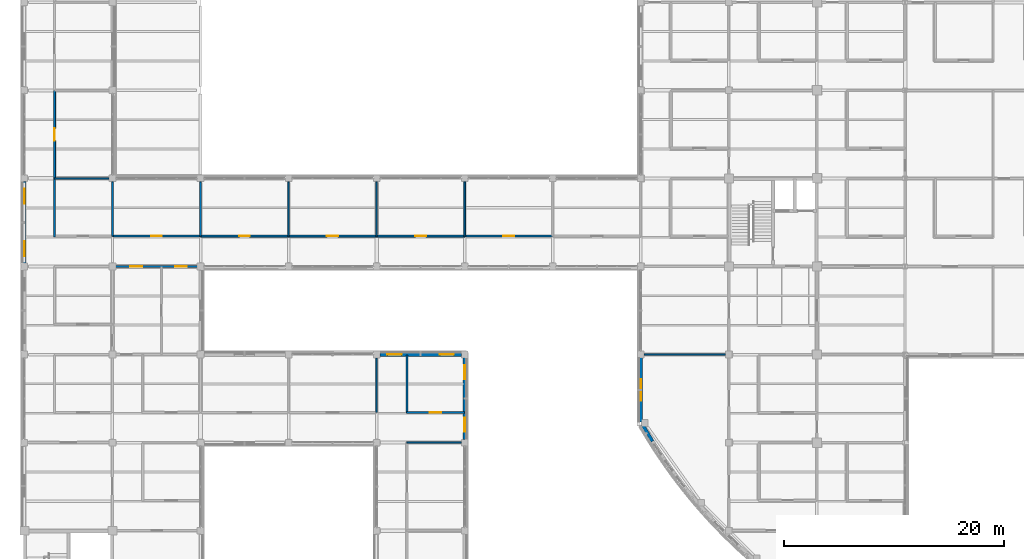
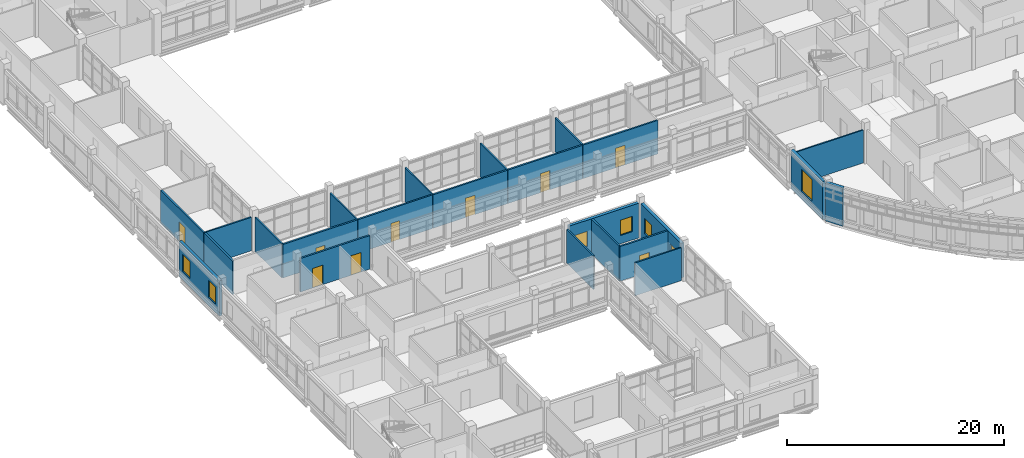
# One storey, part 79 of 121: 24 walls, 9 doors, 7 windows, 16 openings.
"""IFC4 building model written with IfcOpenShell, lengths in metres."""

from ifc_helpers import new_model, si_unit, derived_unit, direction, frame, frame_2d, origin, place, context, subcontext, project, spatial, rectangle, extrude, material, layer, layer_set, type_object, element, fill, save


model = new_model("IFC4")

# Units and contexts
model_context = context("Model", 3, precision=1e-05, world=origin(), true_north=direction((0.0, 1.0)))
body_context = subcontext(model_context, "Body", "Model", "MODEL_VIEW")
ifc_project = project(units=[si_unit("LENGTHUNIT", "METRE"), si_unit("AREAUNIT", "SQUARE_METRE"), si_unit("VOLUMEUNIT", "CUBIC_METRE"), si_unit("PLANEANGLEUNIT", "RADIAN"), si_unit("MASSUNIT", "GRAM", prefix="KILO"), derived_unit("THERMALTRANSMITTANCEUNIT", [(si_unit("MASSUNIT", "GRAM", prefix="KILO"), 1), (si_unit("TIMEUNIT", "SECOND"), -3), (si_unit("THERMODYNAMICTEMPERATUREUNIT", "KELVIN"), -1)])], contexts=[model_context])

# Site, building, storey
site_placement = place(None, origin())
site = spatial("IfcSite", under=ifc_project, at=site_placement, CompositionType="ELEMENT")
building_placement = place(site_placement, origin())
building = spatial("IfcBuilding", under=site, at=building_placement, Name="Veyamyaing Civic Hall", CompositionType="ELEMENT")
storey_placement = place(building_placement, frame((0.0, 0.0, 5.280029296875)))
storey = spatial("IfcBuildingStorey", under=building, at=storey_placement, Name="L01", CompositionType="ELEMENT", Elevation=5.280029296875)

# Wall, openings, windows
ifc_material_1 = material(Name="Precast concrete C40/50", Category="concrete")
ifc_layer_1 = layer(ifc_material_1, 0.320068359375, Name="Precast concrete C40/50")
ifc_layer_set_1 = layer_set([ifc_layer_1], Name="Precast concrete C40/50")
wall_type_1 = type_object("IfcWallType", Name="WT-02", PredefinedType="SOLIDWALL", material=ifc_layer_set_1)
wall_1_placement = place(storey_placement, frame((32.284912109375, 40.0, 0.0), z_axis=(0.0, 0.0, 1.0), x_axis=(1.0, 0.0, 0.0)))
wall_1 = element("IfcWall", 1, at=wall_1_placement, inside=storey, type_object=wall_type_1, Name="Exterior facade wall WT-02 L01 N 5.5", PredefinedType="SOLIDWALL", context=body_context, shape_type="SweptSolid", body=[
    extrude(rectangle(XDim=7.43017578125, YDim=0.320068359375, at=frame_2d((3.715087890625, 0.0))), origin(), (0.0, 0.0, 1.0), 3.9140625),
])
opening_1_placement = place(wall_1_placement, frame((0.697509765625, 0.0, 0.949951171875)))
opening_1 = element("IfcOpeningElement", 2, at=opening_1_placement, cuts=wall_1, Name="Opening W-31", PredefinedType="OPENING", context=body_context, shape_type="SweptSolid", body=[
    extrude(rectangle(XDim=1.280029296875, YDim=1.719970703125, at=frame_2d((0.64013671875, 0.85986328125))), frame((0.0, 0.169921875, 0.0), z_axis=(0.0, -1.0, 0.0), x_axis=(1.0, 0.0, 0.0)), (0.0, 0.0, 1.0), 0.340087890625),
])
opening_2_placement = place(wall_1_placement, frame((5.45263671875, 0.0, 0.949951171875)))
opening_2 = element("IfcOpeningElement", 3, at=opening_2_placement, cuts=wall_1, Name="Opening W-31", PredefinedType="OPENING", context=body_context, shape_type="SweptSolid", body=[
    extrude(rectangle(XDim=1.280029296875, YDim=1.719970703125, at=frame_2d((0.64013671875, 0.85986328125))), frame((0.0, 0.169921875, 0.0), z_axis=(0.0, -1.0, 0.0), x_axis=(1.0, 0.0, 0.0)), (0.0, 0.0, 1.0), 0.340087890625),
])
ifc_material_2 = material(Name="Low-E insulated glass", Category="glass")
window_type_1 = type_object("IfcWindowType", Name="W-31", PartitioningType="SINGLE_PANEL", PredefinedType="WINDOW", material=ifc_material_2)
window_1_placement = place(opening_1_placement, origin())
window_1 = element("IfcWindow", 4, at=window_1_placement, inside=storey, type_object=window_type_1, Name="Facade window W-31 L01 N 5.5.1", OverallHeight=1.719970703125, OverallWidth=1.280029296875, PartitioningType="SINGLE_PANEL", PredefinedType="WINDOW", context=body_context, shape_type="SweptSolid", body=[
    extrude(rectangle(XDim=1.280029296875, YDim=1.719970703125, at=frame_2d((0.64013671875, 0.85986328125))), frame((0.0, 0.030029296875, 0.0), z_axis=(0.0, -1.0, 0.0), x_axis=(1.0, 0.0, 0.0)), (0.0, 0.0, 1.0), 0.06005859375),
])
fill(opening_1, window_1)
window_2_placement = place(opening_2_placement, origin())
window_2 = element("IfcWindow", 5, at=window_2_placement, inside=storey, type_object=window_type_1, Name="Facade window W-31 L01 N 5.5.2", OverallHeight=1.719970703125, OverallWidth=1.280029296875, PartitioningType="SINGLE_PANEL", PredefinedType="WINDOW", context=body_context, shape_type="SweptSolid", body=[
    extrude(rectangle(XDim=1.280029296875, YDim=1.719970703125, at=frame_2d((0.64013671875, 0.85986328125))), frame((0.0, 0.030029296875, 0.0), z_axis=(0.0, -1.0, 0.0), x_axis=(1.0, 0.0, 0.0)), (0.0, 0.0, 1.0), 0.06005859375),
])
fill(opening_2, window_2)

wall_2_placement = place(storey_placement, frame((40.0, 32.284912109375, 0.0), z_axis=(0.0, 0.0, 1.0), x_axis=(0.0, 1.0, 0.0)))
wall_2 = element("IfcWall", 6, at=wall_2_placement, inside=storey, type_object=wall_type_1, Name="Exterior facade wall WT-02 L01 E 5.5", PredefinedType="SOLIDWALL", context=body_context, shape_type="SweptSolid", body=[
    extrude(rectangle(XDim=7.43017578125, YDim=0.320068359375, at=frame_2d((3.715087890625, 0.0))), origin(), (0.0, 0.0, 1.0), 3.9140625),
])
opening_3_placement = place(wall_2_placement, frame((0.697509765625, 0.0, 0.949951171875)))
opening_3 = element("IfcOpeningElement", 7, at=opening_3_placement, cuts=wall_2, Name="Opening W-31", PredefinedType="OPENING", context=body_context, shape_type="SweptSolid", body=[
    extrude(rectangle(XDim=1.280029296875, YDim=1.719970703125, at=frame_2d((0.64013671875, 0.85986328125))), frame((0.0, 0.169921875, 0.0), z_axis=(0.0, -1.0, 0.0), x_axis=(1.0, 0.0, 0.0)), (0.0, 0.0, 1.0), 0.340087890625),
])
opening_4_placement = place(wall_2_placement, frame((5.45263671875, 0.0, 0.949951171875)))
opening_4 = element("IfcOpeningElement", 8, at=opening_4_placement, cuts=wall_2, Name="Opening W-31", PredefinedType="OPENING", context=body_context, shape_type="SweptSolid", body=[
    extrude(rectangle(XDim=1.280029296875, YDim=1.719970703125, at=frame_2d((0.64013671875, 0.85986328125))), frame((0.0, 0.169921875, 0.0), z_axis=(0.0, -1.0, 0.0), x_axis=(1.0, 0.0, 0.0)), (0.0, 0.0, 1.0), 0.340087890625),
])
window_3_placement = place(opening_3_placement, origin())
window_3 = element("IfcWindow", 9, at=window_3_placement, inside=storey, type_object=window_type_1, Name="Facade window W-31 L01 E 5.5.1", OverallHeight=1.719970703125, OverallWidth=1.280029296875, PartitioningType="SINGLE_PANEL", PredefinedType="WINDOW", context=body_context, shape_type="SweptSolid", body=[
    extrude(rectangle(XDim=1.280029296875, YDim=1.719970703125, at=frame_2d((0.64013671875, 0.85986328125))), frame((0.0, 0.030029296875, 0.0), z_axis=(0.0, -1.0, 0.0), x_axis=(1.0, 0.0, 0.0)), (0.0, 0.0, 1.0), 0.06005859375),
])
fill(opening_3, window_3)
window_4_placement = place(opening_4_placement, origin())
window_4 = element("IfcWindow", 10, at=window_4_placement, inside=storey, type_object=window_type_1, Name="Facade window W-31 L01 E 5.5.2", OverallHeight=1.719970703125, OverallWidth=1.280029296875, PartitioningType="SINGLE_PANEL", PredefinedType="WINDOW", context=body_context, shape_type="SweptSolid", body=[
    extrude(rectangle(XDim=1.280029296875, YDim=1.719970703125, at=frame_2d((0.64013671875, 0.85986328125))), frame((0.0, 0.030029296875, 0.0), z_axis=(0.0, -1.0, 0.0), x_axis=(1.0, 0.0, 0.0)), (0.0, 0.0, 1.0), 0.06005859375),
])
fill(opening_4, window_4)

# Wall
ifc_layer_2 = layer(ifc_material_1, 0.304931640625, Name="Precast concrete C40/50")
ifc_layer_set_2 = layer_set([ifc_layer_2], Name="Precast concrete C40/50")
wall_type_2 = type_object("IfcWallType", Name="WT-03", PredefinedType="SOLIDWALL", material=ifc_layer_set_2)
wall_3_placement = place(storey_placement, frame((56.1328125, 33.649169921875, 0.0), z_axis=(0.0, 0.0, 1.0), x_axis=(0.51607516088, -0.856543302071, 0.0)))
element("IfcWall", 11, at=wall_3_placement, inside=storey, type_object=wall_type_2, Name="Curved corner facade wall WT-03 L01 SW.1", PredefinedType="SOLIDWALL", context=body_context, shape_type="SweptSolid", body=[
    extrude(rectangle(XDim=1.794921875, YDim=0.304931640625, at=frame_2d((0.8974609375, 0.0))), origin(), (0.0, 0.0, 1.0), 4.3349609375),
])

# Wall, opening, window
wall_4_placement = place(storey_placement, frame((56.0, 33.854248046875, 0.0), z_axis=(0.0, 0.0, 1.0), x_axis=(0.0, 1.0, 0.0)))
wall_4 = element("IfcWall", 12, at=wall_4_placement, inside=storey, type_object=wall_type_2, Name="Exterior facade wall WT-03 L01 W 8.5", PredefinedType="SOLIDWALL", context=body_context, shape_type="SweptSolid", body=[
    extrude(rectangle(XDim=5.86083984375, YDim=0.304931640625, at=frame_2d((2.930419921875, 0.0))), origin(), (0.0, 0.0, 1.0), 4.3349609375),
])
opening_5_placement = place(wall_4_placement, frame((1.955322265625, 0.0, 0.89990234375)))
opening_5 = element("IfcOpeningElement", 13, at=opening_5_placement, cuts=wall_4, Name="Opening W-26", PredefinedType="OPENING", context=body_context, shape_type="SweptSolid", body=[
    extrude(rectangle(XDim=1.949951171875, YDim=2.449951171875, at=frame_2d((0.97509765625, 1.22509765625))), frame((0.0, 0.162353515625, 0.0), z_axis=(0.0, -1.0, 0.0), x_axis=(1.0, 0.0, 0.0)), (0.0, 0.0, 1.0), 0.324951171875),
])
window_type_2 = type_object("IfcWindowType", Name="W-26", PartitioningType="SINGLE_PANEL", PredefinedType="WINDOW", material=ifc_material_2)
window_5_placement = place(opening_5_placement, origin())
window_5 = element("IfcWindow", 14, at=window_5_placement, inside=storey, type_object=window_type_2, Name="Facade window W-26 L01 W 8.5", OverallHeight=2.449951171875, OverallWidth=1.949951171875, PartitioningType="SINGLE_PANEL", PredefinedType="WINDOW", context=body_context, shape_type="SweptSolid", body=[
    extrude(rectangle(XDim=1.949951171875, YDim=2.449951171875, at=frame_2d((0.97509765625, 1.22509765625))), frame((0.0, 0.030029296875, 0.0), z_axis=(0.0, -1.0, 0.0), x_axis=(1.0, 0.0, 0.0)), (0.0, 0.0, 1.0), 0.06005859375),
])
fill(opening_5, window_5)

# Wall, openings, windows
ifc_layer_3 = layer(ifc_material_1, 0.280029296875, Name="Precast concrete C40/50")
ifc_layer_set_3 = layer_set([ifc_layer_3], Name="Precast concrete C40/50")
wall_type_3 = type_object("IfcWallType", Name="WT-04", PredefinedType="SOLIDWALL", material=ifc_layer_set_3)
wall_5_placement = place(storey_placement, frame((0.0, 48.284912109375, 0.0), z_axis=(0.0, 0.0, 1.0), x_axis=(0.0, 1.0, 0.0)))
wall_5 = element("IfcWall", 15, at=wall_5_placement, inside=storey, type_object=wall_type_3, Name="Exterior facade wall WT-04 L01 W 1.7", PredefinedType="SOLIDWALL", context=body_context, shape_type="SweptSolid", body=[
    extrude(rectangle(XDim=7.43017578125, YDim=0.280029296875, at=frame_2d((3.715087890625, 0.0))), origin(), (0.0, 0.0, 1.0), 3.97705078125),
])
opening_6_placement = place(wall_5_placement, frame((0.662353515625, 0.0, 0.949951171875)))
opening_6 = element("IfcOpeningElement", 16, at=opening_6_placement, cuts=wall_5, Name="Opening W-13", PredefinedType="OPENING", context=body_context, shape_type="SweptSolid", body=[
    extrude(rectangle(XDim=1.35009765625, YDim=1.89990234375, at=frame_2d((0.675048828125, 0.949951171875))), frame((0.0, 0.14990234375, 0.0), z_axis=(0.0, -1.0, 0.0), x_axis=(1.0, 0.0, 0.0)), (0.0, 0.0, 1.0), 0.300048828125),
])
opening_7_placement = place(wall_5_placement, frame((5.41748046875, 0.0, 0.949951171875)))
opening_7 = element("IfcOpeningElement", 17, at=opening_7_placement, cuts=wall_5, Name="Opening W-13", PredefinedType="OPENING", context=body_context, shape_type="SweptSolid", body=[
    extrude(rectangle(XDim=1.35009765625, YDim=1.89990234375, at=frame_2d((0.675048828125, 0.949951171875))), frame((0.0, 0.14990234375, 0.0), z_axis=(0.0, -1.0, 0.0), x_axis=(1.0, 0.0, 0.0)), (0.0, 0.0, 1.0), 0.300048828125),
])
window_type_3 = type_object("IfcWindowType", Name="W-13", PartitioningType="SINGLE_PANEL", PredefinedType="WINDOW", material=ifc_material_2)
window_6_placement = place(opening_6_placement, origin())
window_6 = element("IfcWindow", 18, at=window_6_placement, inside=storey, type_object=window_type_3, Name="Facade window W-13 L01 W 1.7.1", OverallHeight=1.89990234375, OverallWidth=1.35009765625, PartitioningType="SINGLE_PANEL", PredefinedType="WINDOW", context=body_context, shape_type="SweptSolid", body=[
    extrude(rectangle(XDim=1.35009765625, YDim=1.89990234375, at=frame_2d((0.675048828125, 0.949951171875))), frame((0.0, 0.030029296875, 0.0), z_axis=(0.0, -1.0, 0.0), x_axis=(1.0, 0.0, 0.0)), (0.0, 0.0, 1.0), 0.06005859375),
])
fill(opening_6, window_6)
window_7_placement = place(opening_7_placement, origin())
window_7 = element("IfcWindow", 19, at=window_7_placement, inside=storey, type_object=window_type_3, Name="Facade window W-13 L01 W 1.7.2", OverallHeight=1.89990234375, OverallWidth=1.35009765625, PartitioningType="SINGLE_PANEL", PredefinedType="WINDOW", context=body_context, shape_type="SweptSolid", body=[
    extrude(rectangle(XDim=1.35009765625, YDim=1.89990234375, at=frame_2d((0.675048828125, 0.949951171875))), frame((0.0, 0.030029296875, 0.0), z_axis=(0.0, -1.0, 0.0), x_axis=(1.0, 0.0, 0.0)), (0.0, 0.0, 1.0), 0.06005859375),
])
fill(opening_7, window_7)

# Wall, opening, door
ifc_material_3 = material(Name="Gypsum board on acoustic steel stud", Category="steel")
ifc_layer_4 = layer(ifc_material_3, 0.175048828125, Name="Gypsum board on acoustic steel stud")
ifc_layer_set_4 = layer_set([ifc_layer_4], Name="Gypsum board on acoustic steel stud")
wall_type_4 = type_object("IfcWallType", Name="WT-07", PredefinedType="PARTITIONING", material=ifc_layer_set_4)
wall_6_placement = place(storey_placement, frame((2.75, 56.02001953125, 0.0), z_axis=(0.0, 0.0, 1.0), x_axis=(0.0, 1.0, 0.0)))
wall_6 = element("IfcWall", 20, at=wall_6_placement, inside=storey, type_object=wall_type_4, Name="Corridor gallery partition WT-07 L01.5.1", PredefinedType="PARTITIONING", context=body_context, shape_type="SweptSolid", body=[
    extrude(rectangle(XDim=7.9599609375, YDim=0.175048828125, at=frame_2d((3.97998046875, 0.0))), origin(), (0.0, 0.0, 1.0), 3.7119140625),
])
opening_8_placement = place(wall_6_placement, frame((3.419921875, 0.0, 0.0)))
opening_8 = element("IfcOpeningElement", 21, at=opening_8_placement, cuts=wall_6, Name="Opening D-26", PredefinedType="OPENING", context=body_context, shape_type="SweptSolid", body=[
    extrude(rectangle(XDim=1.1201171875, YDim=2.219970703125, at=frame_2d((0.56005859375, 1.10986328125))), frame((0.0, 0.097412109375, 0.0), z_axis=(0.0, -1.0, 0.0), x_axis=(1.0, 0.0, 0.0)), (0.0, 0.0, 1.0), 0.195068359375),
])
ifc_material_4 = material(Name="Teak-veneered acoustic timber", Category="wood")
door_type_1 = type_object("IfcDoorType", Name="D-26", OperationType="NOTDEFINED", PredefinedType="DOOR", material=ifc_material_4)
door_1_placement = place(opening_8_placement, frame((1.1201171875, 0.0, 0.0), z_axis=(0.0, 0.0, 1.0), x_axis=(-1.0, 0.0, 0.0)))
door_1 = element("IfcDoor", 22, at=door_1_placement, inside=storey, type_object=door_type_1, Name="Gallery office door D-26 L01.5", OperationType="SINGLE_SWING_LEFT", OverallHeight=2.219970703125, OverallWidth=1.1201171875, PredefinedType="DOOR", context=body_context, shape_type="SweptSolid", body=[
    extrude(rectangle(XDim=1.1201171875, YDim=2.219970703125, at=frame_2d((0.56005859375, 1.10986328125))), frame((0.0, 0.02490234375, 0.0), z_axis=(0.0, -1.0, 0.0), x_axis=(1.0, 0.0, 0.0)), (0.0, 0.0, 1.0), 0.050048828125),
])
fill(opening_8, door_1)

wall_7_placement = place(storey_placement, frame((16.02001953125, 50.75, 0.0), z_axis=(0.0, 0.0, 1.0), x_axis=(1.0, 0.0, 0.0)))
wall_7 = element("IfcWall", 23, at=wall_7_placement, inside=storey, type_object=wall_type_4, Name="Corridor gallery partition WT-07 L01.17.1", PredefinedType="PARTITIONING", context=body_context, shape_type="SweptSolid", body=[
    extrude(rectangle(XDim=7.9599609375, YDim=0.175048828125, at=frame_2d((3.97998046875, 0.0))), origin(), (0.0, 0.0, 1.0), 3.786865234375),
])
opening_9_placement = place(wall_7_placement, frame((3.510009765625, 0.0, 0.0)))
opening_9 = element("IfcOpeningElement", 24, at=opening_9_placement, cuts=wall_7, Name="Opening D-30", PredefinedType="OPENING", context=body_context, shape_type="SweptSolid", body=[
    extrude(rectangle(XDim=0.93994140625, YDim=2.1201171875, at=frame_2d((0.469970703125, 1.06005859375))), frame((0.0, 0.097412109375, 0.0), z_axis=(0.0, -1.0, 0.0), x_axis=(1.0, 0.0, 0.0)), (0.0, 0.0, 1.0), 0.195068359375),
])
door_type_2 = type_object("IfcDoorType", Name="D-30", OperationType="NOTDEFINED", PredefinedType="DOOR", material=ifc_material_4)
door_2_placement = place(opening_9_placement, origin())
door_2 = element("IfcDoor", 25, at=door_2_placement, inside=storey, type_object=door_type_2, Name="Gallery office door D-30 L01.17", OperationType="SINGLE_SWING_LEFT", OverallHeight=2.1201171875, OverallWidth=0.93994140625, PredefinedType="DOOR", context=body_context, shape_type="SweptSolid", body=[
    extrude(rectangle(XDim=0.93994140625, YDim=2.1201171875, at=frame_2d((0.469970703125, 1.06005859375))), frame((0.0, 0.02490234375, 0.0), z_axis=(0.0, -1.0, 0.0), x_axis=(1.0, 0.0, 0.0)), (0.0, 0.0, 1.0), 0.050048828125),
])
fill(opening_9, door_2)

wall_8_placement = place(storey_placement, frame((24.02001953125, 50.75, 0.0), z_axis=(0.0, 0.0, 1.0), x_axis=(1.0, 0.0, 0.0)))
wall_8 = element("IfcWall", 26, at=wall_8_placement, inside=storey, type_object=wall_type_4, Name="Corridor gallery partition WT-07 L01.23.1", PredefinedType="PARTITIONING", context=body_context, shape_type="SweptSolid", body=[
    extrude(rectangle(XDim=7.9599609375, YDim=0.175048828125, at=frame_2d((3.97998046875, 0.0))), origin(), (0.0, 0.0, 1.0), 3.781005859375),
])
opening_10_placement = place(wall_8_placement, frame((3.4599609375, 0.0, 0.0)))
opening_10 = element("IfcOpeningElement", 27, at=opening_10_placement, cuts=wall_8, Name="Opening D-24", PredefinedType="OPENING", context=body_context, shape_type="SweptSolid", body=[
    extrude(rectangle(XDim=1.0400390625, YDim=2.179931640625, at=frame_2d((0.52001953125, 1.08984375))), frame((0.0, 0.097412109375, 0.0), z_axis=(0.0, -1.0, 0.0), x_axis=(1.0, 0.0, 0.0)), (0.0, 0.0, 1.0), 0.195068359375),
])
door_type_3 = type_object("IfcDoorType", Name="D-24", OperationType="NOTDEFINED", PredefinedType="DOOR", material=ifc_material_4)
door_3_placement = place(opening_10_placement, origin())
door_3 = element("IfcDoor", 28, at=door_3_placement, inside=storey, type_object=door_type_3, Name="Gallery office door D-24 L01.23", OperationType="SINGLE_SWING_LEFT", OverallHeight=2.179931640625, OverallWidth=1.0400390625, PredefinedType="DOOR", context=body_context, shape_type="SweptSolid", body=[
    extrude(rectangle(XDim=1.0400390625, YDim=2.179931640625, at=frame_2d((0.52001953125, 1.08984375))), frame((0.0, 0.02490234375, 0.0), z_axis=(0.0, -1.0, 0.0), x_axis=(1.0, 0.0, 0.0)), (0.0, 0.0, 1.0), 0.050048828125),
])
fill(opening_10, door_3)

wall_9_placement = place(storey_placement, frame((32.02001953125, 50.75, 0.0), z_axis=(0.0, 0.0, 1.0), x_axis=(1.0, 0.0, 0.0)))
wall_9 = element("IfcWall", 29, at=wall_9_placement, inside=storey, type_object=wall_type_4, Name="Corridor gallery partition WT-07 L01.29.1", PredefinedType="PARTITIONING", context=body_context, shape_type="SweptSolid", body=[
    extrude(rectangle(XDim=7.9599609375, YDim=0.175048828125, at=frame_2d((3.97998046875, 0.0))), origin(), (0.0, 0.0, 1.0), 3.781005859375),
])
opening_11_placement = place(wall_9_placement, frame((3.47998046875, 0.0, 0.0)))
opening_11 = element("IfcOpeningElement", 30, at=opening_11_placement, cuts=wall_9, Name="Opening D-13", PredefinedType="OPENING", context=body_context, shape_type="SweptSolid", body=[
    extrude(rectangle(XDim=1.0, YDim=2.14990234375, at=frame_2d((0.5, 1.074951171875))), frame((0.0, 0.097412109375, 0.0), z_axis=(0.0, -1.0, 0.0), x_axis=(1.0, 0.0, 0.0)), (0.0, 0.0, 1.0), 0.195068359375),
])
door_type_4 = type_object("IfcDoorType", Name="D-13", OperationType="NOTDEFINED", PredefinedType="DOOR", material=ifc_material_4)
door_4_placement = place(opening_11_placement, origin())
door_4 = element("IfcDoor", 31, at=door_4_placement, inside=storey, type_object=door_type_4, Name="Gallery office door D-13 L01.29", OperationType="SINGLE_SWING_LEFT", OverallHeight=2.14990234375, OverallWidth=1.0, PredefinedType="DOOR", context=body_context, shape_type="SweptSolid", body=[
    extrude(rectangle(XDim=1.0, YDim=2.14990234375, at=frame_2d((0.5, 1.074951171875))), frame((0.0, 0.02490234375, 0.0), z_axis=(0.0, -1.0, 0.0), x_axis=(1.0, 0.0, 0.0)), (0.0, 0.0, 1.0), 0.050048828125),
])
fill(opening_11, door_4)

wall_10_placement = place(storey_placement, frame((40.02001953125, 50.75, 0.0), z_axis=(0.0, 0.0, 1.0), x_axis=(1.0, 0.0, 0.0)))
wall_10 = element("IfcWall", 32, at=wall_10_placement, inside=storey, type_object=wall_type_4, Name="Corridor gallery partition WT-07 L01.31.1", PredefinedType="PARTITIONING", context=body_context, shape_type="SweptSolid", body=[
    extrude(rectangle(XDim=7.9599609375, YDim=0.175048828125, at=frame_2d((3.97998046875, 0.0))), origin(), (0.0, 0.0, 1.0), 3.786865234375),
])
opening_12_placement = place(wall_10_placement, frame((3.469970703125, 0.0, 0.0)))
opening_12 = element("IfcOpeningElement", 33, at=opening_12_placement, cuts=wall_10, Name="Opening D-19", PredefinedType="OPENING", context=body_context, shape_type="SweptSolid", body=[
    extrude(rectangle(XDim=1.02001953125, YDim=2.199951171875, at=frame_2d((0.510009765625, 1.10009765625))), frame((0.0, 0.097412109375, 0.0), z_axis=(0.0, -1.0, 0.0), x_axis=(1.0, 0.0, 0.0)), (0.0, 0.0, 1.0), 0.195068359375),
])
door_type_5 = type_object("IfcDoorType", Name="D-19", OperationType="NOTDEFINED", PredefinedType="DOOR", material=ifc_material_4)
door_5_placement = place(opening_12_placement, origin())
door_5 = element("IfcDoor", 34, at=door_5_placement, inside=storey, type_object=door_type_5, Name="Gallery office door D-19 L01.31", OperationType="SINGLE_SWING_LEFT", OverallHeight=2.199951171875, OverallWidth=1.02001953125, PredefinedType="DOOR", context=body_context, shape_type="SweptSolid", body=[
    extrude(rectangle(XDim=1.02001953125, YDim=2.199951171875, at=frame_2d((0.510009765625, 1.10009765625))), frame((0.0, 0.02490234375, 0.0), z_axis=(0.0, -1.0, 0.0), x_axis=(1.0, 0.0, 0.0)), (0.0, 0.0, 1.0), 0.050048828125),
])
fill(opening_12, door_5)

# Walls
ifc_material_5 = material(Name="Gypsum board on steel stud", Category="steel")
ifc_layer_5 = layer(ifc_material_5, 0.14990234375, Name="Gypsum board on steel stud")
ifc_layer_set_5 = layer_set([ifc_layer_5], Name="Gypsum board on steel stud")
wall_type_5 = type_object("IfcWallType", Name="WT-08", PredefinedType="PARTITIONING", material=ifc_layer_set_5)
wall_11_placement = place(storey_placement, frame((2.75, 56.0, 0.0), z_axis=(0.0, 0.0, 1.0), x_axis=(1.0, 0.0, 0.0)))
element("IfcWall", 35, at=wall_11_placement, inside=storey, type_object=wall_type_5, Name="Gallery office end partition WT-08 L01.4.1", PredefinedType="PARTITIONING", context=body_context, shape_type="SweptSolid", body=[
    extrude(rectangle(XDim=4.93994140625, YDim=0.14990234375, at=frame_2d((2.469970703125, 0.0))), origin(), (0.0, 0.0, 1.0), 3.781005859375),
])
wall_12_placement = place(storey_placement, frame((8.0, 50.75, 0.0), z_axis=(0.0, 0.0, 1.0), x_axis=(0.0, 1.0, 0.0)))
element("IfcWall", 36, at=wall_12_placement, inside=storey, type_object=wall_type_5, Name="Gallery office end partition WT-08 L01.4.2", PredefinedType="PARTITIONING", context=body_context, shape_type="SweptSolid", body=[
    extrude(rectangle(XDim=4.93994140625, YDim=0.14990234375, at=frame_2d((2.469970703125, 0.0))), origin(), (0.0, 0.0, 1.0), 3.85107421875),
])
wall_13_placement = place(storey_placement, frame((16.0, 50.75, 0.0), z_axis=(0.0, 0.0, 1.0), x_axis=(0.0, 1.0, 0.0)))
element("IfcWall", 37, at=wall_13_placement, inside=storey, type_object=wall_type_5, Name="Gallery office end partition WT-08 L01.14.2", PredefinedType="PARTITIONING", context=body_context, shape_type="SweptSolid", body=[
    extrude(rectangle(XDim=4.93994140625, YDim=0.14990234375, at=frame_2d((2.469970703125, 0.0))), origin(), (0.0, 0.0, 1.0), 3.786865234375),
])
wall_14_placement = place(storey_placement, frame((24.0, 50.75, 0.0), z_axis=(0.0, 0.0, 1.0), x_axis=(0.0, 1.0, 0.0)))
element("IfcWall", 38, at=wall_14_placement, inside=storey, type_object=wall_type_5, Name="Gallery office end partition WT-08 L01.17.2", PredefinedType="PARTITIONING", context=body_context, shape_type="SweptSolid", body=[
    extrude(rectangle(XDim=4.93994140625, YDim=0.14990234375, at=frame_2d((2.469970703125, 0.0))), origin(), (0.0, 0.0, 1.0), 3.85693359375),
])
wall_15_placement = place(storey_placement, frame((32.0, 34.75, 0.0), z_axis=(0.0, 0.0, 1.0), x_axis=(0.0, 1.0, 0.0)))
element("IfcWall", 39, at=wall_15_placement, inside=storey, type_object=wall_type_5, Name="Gallery office end partition WT-08 L01.22.2", PredefinedType="PARTITIONING", context=body_context, shape_type="SweptSolid", body=[
    extrude(rectangle(XDim=4.93994140625, YDim=0.14990234375, at=frame_2d((2.469970703125, 0.0))), origin(), (0.0, 0.0, 1.0), 3.786865234375),
])
wall_16_placement = place(storey_placement, frame((32.0, 50.75, 0.0), z_axis=(0.0, 0.0, 1.0), x_axis=(0.0, 1.0, 0.0)))
element("IfcWall", 40, at=wall_16_placement, inside=storey, type_object=wall_type_5, Name="Gallery office end partition WT-08 L01.23.2", PredefinedType="PARTITIONING", context=body_context, shape_type="SweptSolid", body=[
    extrude(rectangle(XDim=4.93994140625, YDim=0.14990234375, at=frame_2d((2.469970703125, 0.0))), origin(), (0.0, 0.0, 1.0), 3.781005859375),
])
wall_17_placement = place(storey_placement, frame((34.75, 32.0, 0.0), z_axis=(0.0, 0.0, 1.0), x_axis=(1.0, 0.0, 0.0)))
element("IfcWall", 41, at=wall_17_placement, inside=storey, type_object=wall_type_5, Name="Gallery office end partition WT-08 L01.27.2", PredefinedType="PARTITIONING", context=body_context, shape_type="SweptSolid", body=[
    extrude(rectangle(XDim=4.93994140625, YDim=0.14990234375, at=frame_2d((2.469970703125, 0.0))), origin(), (0.0, 0.0, 1.0), 3.7119140625),
])
wall_18_placement = place(storey_placement, frame((40.0, 50.75, 0.0), z_axis=(0.0, 0.0, 1.0), x_axis=(0.0, 1.0, 0.0)))
element("IfcWall", 42, at=wall_18_placement, inside=storey, type_object=wall_type_5, Name="Gallery office end partition WT-08 L01.29.2", PredefinedType="PARTITIONING", context=body_context, shape_type="SweptSolid", body=[
    extrude(rectangle(XDim=4.93994140625, YDim=0.14990234375, at=frame_2d((2.469970703125, 0.0))), origin(), (0.0, 0.0, 1.0), 3.85107421875),
])
ifc_material_6 = material(Name="Gypsum board on double acoustic stud")
ifc_layer_6 = layer(ifc_material_6, 0.18505859375, Name="Gypsum board on double acoustic stud")
ifc_layer_set_6 = layer_set([ifc_layer_6], Name="Gypsum board on double acoustic stud")
wall_type_6 = type_object("IfcWallType", Name="WT-19", PredefinedType="PARTITIONING", material=ifc_layer_set_6)
wall_19_placement = place(storey_placement, frame((2.75, 50.699951171875, 0.0), z_axis=(0.0, 0.0, 1.0), x_axis=(0.0, 1.0, 0.0)))
element("IfcWall", 43, at=wall_19_placement, inside=storey, type_object=wall_type_6, Name="Corridor gallery partition WT-19 L01.4.2", PredefinedType="PARTITIONING", context=body_context, shape_type="SweptSolid", body=[
    extrude(rectangle(XDim=5.280029296875, YDim=0.18505859375, at=frame_2d((2.64013671875, 0.0))), origin(), (0.0, 0.0, 1.0), 3.781005859375),
])

# Wall, opening, door
wall_20_placement = place(storey_placement, frame((8.02001953125, 50.75, 0.0), z_axis=(0.0, 0.0, 1.0), x_axis=(1.0, 0.0, 0.0)))
wall_20 = element("IfcWall", 44, at=wall_20_placement, inside=storey, type_object=wall_type_6, Name="Corridor gallery partition WT-19 L01.14.1", PredefinedType="PARTITIONING", context=body_context, shape_type="SweptSolid", body=[
    extrude(rectangle(XDim=7.9599609375, YDim=0.18505859375, at=frame_2d((3.97998046875, 0.0))), origin(), (0.0, 0.0, 1.0), 3.786865234375),
])
opening_13_placement = place(wall_20_placement, frame((3.5, 0.0, 0.0)))
opening_13 = element("IfcOpeningElement", 45, at=opening_13_placement, cuts=wall_20, Name="Opening D-25", PredefinedType="OPENING", context=body_context, shape_type="SweptSolid", body=[
    extrude(rectangle(XDim=0.9599609375, YDim=2.139892578125, at=frame_2d((0.47998046875, 1.06982421875))), frame((0.0, 0.1025390625, 0.0), z_axis=(0.0, -1.0, 0.0), x_axis=(1.0, 0.0, 0.0)), (0.0, 0.0, 1.0), 0.205078125),
])
door_type_6 = type_object("IfcDoorType", Name="D-25", OperationType="NOTDEFINED", PredefinedType="DOOR", material=ifc_material_4)
door_6_placement = place(opening_13_placement, origin())
door_6 = element("IfcDoor", 46, at=door_6_placement, inside=storey, type_object=door_type_6, Name="Gallery office door D-25 L01.14", OperationType="SINGLE_SWING_RIGHT", OverallHeight=2.139892578125, OverallWidth=0.9599609375, PredefinedType="DOOR", context=body_context, shape_type="SweptSolid", body=[
    extrude(rectangle(XDim=0.9599609375, YDim=2.139892578125, at=frame_2d((0.47998046875, 1.06982421875))), frame((0.0, 0.02490234375, 0.0), z_axis=(0.0, -1.0, 0.0), x_axis=(1.0, 0.0, 0.0)), (0.0, 0.0, 1.0), 0.050048828125),
])
fill(opening_13, door_6)

wall_21_placement = place(storey_placement, frame((34.699951171875, 34.75, 0.0), z_axis=(0.0, 0.0, 1.0), x_axis=(1.0, 0.0, 0.0)))
wall_21 = element("IfcWall", 47, at=wall_21_placement, inside=storey, type_object=wall_type_6, Name="Corridor gallery partition WT-19 L01.28.1", PredefinedType="PARTITIONING", context=body_context, shape_type="SweptSolid", body=[
    extrude(rectangle(XDim=5.280029296875, YDim=0.18505859375, at=frame_2d((2.64013671875, 0.0))), origin(), (0.0, 0.0, 1.0), 3.906982421875),
])
opening_14_placement = place(wall_21_placement, frame((2.114990234375, 0.0, 0.0)))
opening_14 = element("IfcOpeningElement", 48, at=opening_14_placement, cuts=wall_21, Name="Opening D-12", PredefinedType="OPENING", context=body_context, shape_type="SweptSolid", body=[
    extrude(rectangle(XDim=1.050048828125, YDim=2.14990234375, at=frame_2d((0.52490234375, 1.074951171875))), frame((0.0, 0.1025390625, 0.0), z_axis=(0.0, -1.0, 0.0), x_axis=(1.0, 0.0, 0.0)), (0.0, 0.0, 1.0), 0.205078125),
])
door_type_7 = type_object("IfcDoorType", Name="D-12", OperationType="NOTDEFINED", PredefinedType="DOOR", material=ifc_material_4)
door_7_placement = place(opening_14_placement, origin())
door_7 = element("IfcDoor", 49, at=door_7_placement, inside=storey, type_object=door_type_7, Name="Gallery office door D-12 L01.28", OperationType="SINGLE_SWING_RIGHT", OverallHeight=2.14990234375, OverallWidth=1.050048828125, PredefinedType="DOOR", context=body_context, shape_type="SweptSolid", body=[
    extrude(rectangle(XDim=1.050048828125, YDim=2.14990234375, at=frame_2d((0.52490234375, 1.074951171875))), frame((0.0, 0.02490234375, 0.0), z_axis=(0.0, -1.0, 0.0), x_axis=(1.0, 0.0, 0.0)), (0.0, 0.0, 1.0), 0.050048828125),
])
fill(opening_14, door_7)

# Wall
wall_22_placement = place(storey_placement, frame((34.75, 34.699951171875, 0.0), z_axis=(0.0, 0.0, 1.0), x_axis=(0.0, 1.0, 0.0)))
element("IfcWall", 50, at=wall_22_placement, inside=storey, type_object=wall_type_6, Name="Corridor gallery partition WT-19 L01.28.2", PredefinedType="PARTITIONING", context=body_context, shape_type="SweptSolid", body=[
    extrude(rectangle(XDim=5.280029296875, YDim=0.18505859375, at=frame_2d((2.64013671875, 0.0))), origin(), (0.0, 0.0, 1.0), 3.906982421875),
])

# Wall, openings, doors
wall_23_placement = place(storey_placement, frame((8.2900390625, 48.0, 0.0), z_axis=(0.0, 0.0, 1.0), x_axis=(1.0, 0.0, 0.0)))
wall_23 = element("IfcWall", 51, at=wall_23_placement, inside=storey, type_object=wall_type_6, Name="Interior partition wall WT-19 L01.12", PredefinedType="PARTITIONING", context=body_context, shape_type="SweptSolid", body=[
    extrude(rectangle(XDim=7.419921875, YDim=0.18505859375, at=frame_2d((3.7099609375, 0.0))), origin(), (0.0, 0.0, 1.0), 3.781005859375),
])
opening_15_placement = place(wall_23_placement, frame((1.31494140625, 0.0, 0.0)))
opening_15 = element("IfcOpeningElement", 52, at=opening_15_placement, cuts=wall_23, Name="Opening D-23", PredefinedType="OPENING", context=body_context, shape_type="SweptSolid", body=[
    extrude(rectangle(XDim=1.080078125, YDim=2.199951171875, at=frame_2d((0.5400390625, 1.10009765625))), frame((0.0, 0.1025390625, 0.0), z_axis=(0.0, -1.0, 0.0), x_axis=(1.0, 0.0, 0.0)), (0.0, 0.0, 1.0), 0.205078125),
])
opening_16_placement = place(wall_23_placement, frame((5.39599609375, 0.0, 0.0)))
opening_16 = element("IfcOpeningElement", 53, at=opening_16_placement, cuts=wall_23, Name="Opening D-23", PredefinedType="OPENING", context=body_context, shape_type="SweptSolid", body=[
    extrude(rectangle(XDim=1.080078125, YDim=2.199951171875, at=frame_2d((0.5400390625, 1.10009765625))), frame((0.0, 0.1025390625, 0.0), z_axis=(0.0, -1.0, 0.0), x_axis=(1.0, 0.0, 0.0)), (0.0, 0.0, 1.0), 0.205078125),
])
door_type_8 = type_object("IfcDoorType", Name="D-23", OperationType="NOTDEFINED", PredefinedType="DOOR", material=ifc_material_4)
door_8_placement = place(opening_15_placement, frame((1.080078125, 0.0, 0.0), z_axis=(0.0, 0.0, 1.0), x_axis=(-1.0, 0.0, 0.0)))
door_8 = element("IfcDoor", 54, at=door_8_placement, inside=storey, type_object=door_type_8, Name="Interior room door D-23 L01.12.1", OperationType="SINGLE_SWING_LEFT", OverallHeight=2.199951171875, OverallWidth=1.080078125, PredefinedType="DOOR", context=body_context, shape_type="SweptSolid", body=[
    extrude(rectangle(XDim=1.080078125, YDim=2.199951171875, at=frame_2d((0.5400390625, 1.10009765625))), frame((0.0, 0.02490234375, 0.0), z_axis=(0.0, -1.0, 0.0), x_axis=(1.0, 0.0, 0.0)), (0.0, 0.0, 1.0), 0.050048828125),
])
fill(opening_15, door_8)
door_9_placement = place(opening_16_placement, frame((1.080078125, 0.0, 0.0), z_axis=(0.0, 0.0, 1.0), x_axis=(-1.0, 0.0, 0.0)))
door_9 = element("IfcDoor", 55, at=door_9_placement, inside=storey, type_object=door_type_8, Name="Interior room door D-23 L01.12.2", OperationType="SINGLE_SWING_RIGHT", OverallHeight=2.199951171875, OverallWidth=1.080078125, PredefinedType="DOOR", context=body_context, shape_type="SweptSolid", body=[
    extrude(rectangle(XDim=1.080078125, YDim=2.199951171875, at=frame_2d((0.5400390625, 1.10009765625))), frame((0.0, 0.02490234375, 0.0), z_axis=(0.0, -1.0, 0.0), x_axis=(1.0, 0.0, 0.0)), (0.0, 0.0, 1.0), 0.050048828125),
])
fill(opening_16, door_9)

# Wall
ifc_layer_7 = layer(ifc_material_5, 0.14208984375, Name="Gypsum board on steel stud")
ifc_layer_set_7 = layer_set([ifc_layer_7], Name="Gypsum board on steel stud")
wall_type_7 = type_object("IfcWallType", Name="WT-20", PredefinedType="PARTITIONING", material=ifc_layer_set_7)
wall_24_placement = place(storey_placement, frame((56.2900390625, 40.0, 0.0), z_axis=(0.0, 0.0, 1.0), x_axis=(1.0, 0.0, 0.0)))
element("IfcWall", 56, at=wall_24_placement, inside=storey, type_object=wall_type_7, Name="Interior partition wall WT-20 L01.25", PredefinedType="PARTITIONING", context=body_context, shape_type="SweptSolid", body=[
    extrude(rectangle(XDim=7.419921875, YDim=0.14208984375, at=frame_2d((3.7099609375, 0.0))), origin(), (0.0, 0.0, 1.0), 3.7119140625),
])

save(model, "model.ifc")
